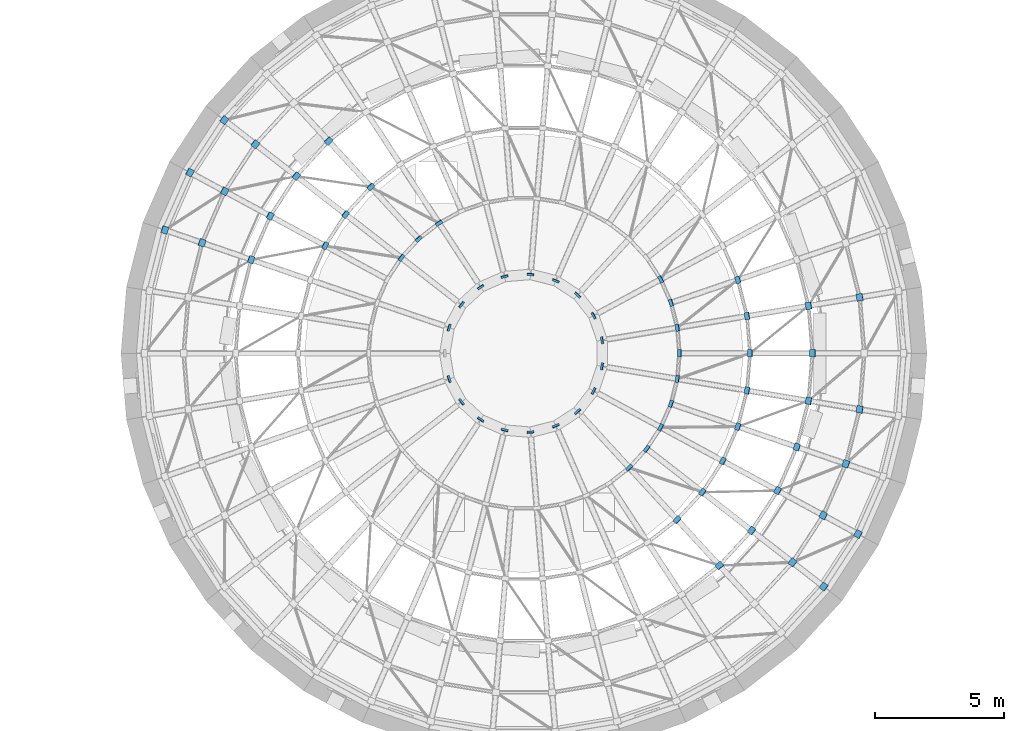
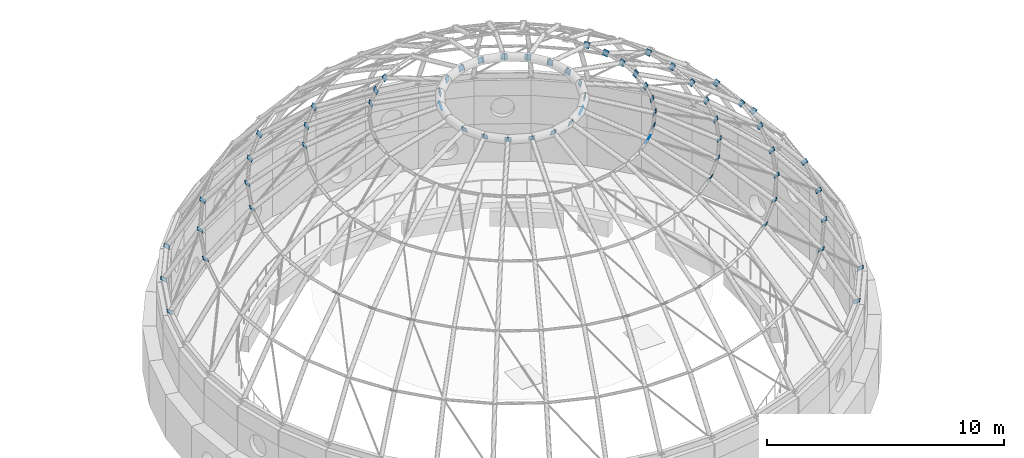
# One storey, part 64 of 98: 65 discrete accessories.
"""IFC4 building model written with IfcOpenShell, lengths in metres."""

from ifc_helpers import new_model, si_unit, direction, frame, origin, origin_2d, place, context, subcontext, project, spatial, rectangle, extrude, material, material_profile, profile_set, type_object, element, save


model = new_model("IFC4")

# Units and contexts
model_context = context("Model", 3, precision=1e-05, world=origin(), true_north=direction((0.0, 1.0)))
body_context = subcontext(model_context, "Body", "Model", "MODEL_VIEW")
ifc_project = project(units=[si_unit("LENGTHUNIT", "METRE"), si_unit("AREAUNIT", "SQUARE_METRE"), si_unit("VOLUMEUNIT", "CUBIC_METRE"), si_unit("PLANEANGLEUNIT", "RADIAN"), si_unit("MASSUNIT", "GRAM", prefix="KILO")], contexts=[model_context])

# Site, building, storey
site_placement = place(None, origin())
site = spatial("IfcSite", under=ifc_project, at=site_placement, CompositionType="ELEMENT")
building_placement = place(site_placement, origin())
building = spatial("IfcBuilding", under=site, at=building_placement, Name="Sun Court Science Centre", CompositionType="ELEMENT")
storey_placement = place(building_placement, frame((0.0, 0.0, 15.75)))
storey = spatial("IfcBuildingStorey", under=building, at=storey_placement, Name="L03", CompositionType="ELEMENT", Elevation=15.75)

# Discrete accessories
ifc_material = material(Name="Steel S355", Category="steel")
ifc_material_profile = material_profile(ifc_material, rectangle(XDim=0.280029296875, YDim=0.280029296875, at=origin_2d()), Name="PL 280x280")
ifc_profile_set = profile_set([ifc_material_profile], Name="Steel S355")
discrete_accessory_type = type_object("IfcDiscreteAccessoryType", Name="Dome node plate 280x280x20", PredefinedType="BRACKET", material=ifc_profile_set)
discrete_accessory_1_placement = place(storey_placement, frame((63.99755859375, 98.968994140625, 6.864990234375), z_axis=(-0.51261459463, -0.085435765772, 0.854357657717), x_axis=(0.164398987305, -0.986393923832, 0.0)))
element("IfcDiscreteAccessory", 1, at=discrete_accessory_1_placement, inside=storey, type_object=discrete_accessory_type, Name="Dome node plate 2", PredefinedType="BRACKET", context=body_context, shape_type="SweptSolid", body=[
    extrude(rectangle(XDim=0.280029296875, YDim=0.280029296875, at=origin_2d()), origin(), (0.0, 0.0, 1.0), 0.02001953125),
])
discrete_accessory_2_placement = place(storey_placement, frame((62.01904296875, 98.638671875, 9.200439453125), z_axis=(-0.639494658326, -0.098383793589, 0.762474400312), x_axis=(0.152057184254, -0.988371697651, 0.0)))
element("IfcDiscreteAccessory", 2, at=discrete_accessory_2_placement, inside=storey, type_object=discrete_accessory_type, Name="Dome node plate 3", PredefinedType="BRACKET", context=body_context, shape_type="SweptSolid", body=[
    extrude(rectangle(XDim=0.280029296875, YDim=0.280029296875, at=origin_2d()), origin(), (0.0, 0.0, 1.0), 0.019775390625),
])
for number, where, z_axis, x_axis, name in (
    (3, (59.63916015625, 98.24169921875, 11.112060546875), (-0.770184961685, -0.134476739342, 0.623483064221), (0.17200102348, -0.985096770841, 0.0), "Dome node plate 4"),
    (4, (56.944091796875, 97.7919921875, 12.5302734375), (-0.874931437699, -0.145821906283, 0.461769369896), (0.164398987305, -0.986393923832, 0.0), "Dome node plate 5"),
):
    element("IfcDiscreteAccessory", number, at=place(storey_placement, frame(where, z_axis=z_axis, x_axis=x_axis)), inside=storey, type_object=discrete_accessory_type, Name=name, PredefinedType="BRACKET", context=body_context, shape_type="SweptSolid", body=[
        extrude(rectangle(XDim=0.280029296875, YDim=0.280029296875, at=origin_2d()), origin(), (0.0, 0.0, 1.0), 0.02001953125),
    ])
for number, where, z_axis, x_axis, name in (
    (5, (54.0322265625, 97.305908203125, 13.4033203125), (-0.945871717609, -0.159692627648, 0.282533110454), (0.166475237173, -0.986045635561, 0.0), "Dome node plate 6"),
    (6, (59.283935546875, 99.643798828125, 11.112060546875), (-0.738493001556, -0.246164333852, 0.627719051322), (0.316227766017, -0.948683298051, 0.0), "Dome node plate 10"),
):
    element("IfcDiscreteAccessory", number, at=place(storey_placement, frame(where, z_axis=z_axis, x_axis=x_axis)), inside=storey, type_object=discrete_accessory_type, Name=name, PredefinedType="BRACKET", context=body_context, shape_type="SweptSolid", body=[
        extrude(rectangle(XDim=0.280029296875, YDim=0.280029296875, at=origin_2d()), origin(), (0.0, 0.0, 1.0), 0.019775390625),
    ])
for number, where, z_axis, x_axis, name in (
    (7, (56.69970703125, 98.7568359375, 12.5302734375), (-0.837919347852, -0.291450207949, 0.461462829252), (0.328520624941, -0.944496796706, 0.0), "Dome node plate 11"),
    (8, (56.300048828125, 99.668212890625, 12.5302734375), (-0.77811909591, -0.425533880576, 0.462008213197), (0.479812341943, -0.877371139552, 0.0), "Dome node plate 16"),
    (9, (53.70361328125, 98.26318359375, 13.4033203125), (-0.840838395299, -0.4630704206, 0.2802794651), (0.482406003253, -0.875947742748, 0.0), "Dome node plate 17"),
    (10, (53.08203125, 99.061767578125, 13.4033203125), (-0.647401435218, -0.708477042315, 0.280947792642), (0.738209882893, -0.674571099885, 0.0), "Dome node plate 28"),
    (11, (52.23486328125, 99.615234375, 13.4033203125), (-0.379462263249, -0.881331708191, 0.281536517894), (0.918483910173, -0.395458350213, 0.0), "Dome node plate 39"),
):
    element("IfcDiscreteAccessory", number, at=place(storey_placement, frame(where, z_axis=z_axis, x_axis=x_axis)), inside=storey, type_object=discrete_accessory_type, Name=name, PredefinedType="BRACKET", context=body_context, shape_type="SweptSolid", body=[
        extrude(rectangle(XDim=0.280029296875, YDim=0.280029296875, at=origin_2d()), origin(), (0.0, 0.0, 1.0), 0.02001953125),
    ])
discrete_accessory_3_placement = place(storey_placement, frame((51.25390625, 99.86376953125, 13.4033203125), z_axis=(-0.08476912392, -0.95668011281, 0.278527121451), x_axis=(0.996097312975, -0.088261787226, 0.0)))
element("IfcDiscreteAccessory", 12, at=discrete_accessory_3_placement, inside=storey, type_object=discrete_accessory_type, Name="Dome node plate 50", PredefinedType="BRACKET", context=body_context, shape_type="SweptSolid", body=[
    extrude(rectangle(XDim=0.280029296875, YDim=0.280029296875, at=origin_2d()), origin(), (0.0, 0.0, 1.0), 0.020263671875),
])
for number, where, z_axis, x_axis, name in (
    (13, (50.245361328125, 99.780029296875, 13.4033203125), (0.232713161513, -0.930852646054, 0.281705406043), (0.970142500145, 0.242535625036, 0.0), "Dome node plate 61"),
    (14, (47.703857421875, 101.844970703125, 12.5302734375), (0.486324434944, -0.74164476329, 0.462008213197), (0.836244367386, 0.54835696222, 0.0), "Dome node plate 71"),
    (15, (49.318603515625, 99.37353515625, 13.4033203125), (0.524000739099, -0.804280204199, 0.2802794651), (0.837863058281, 0.545880477365, 0.0), "Dome node plate 72"),
    (16, (43.433837890625, 105.01904296875, 9.200439453125), (0.44109565921, -0.47785363081, 0.759664746416), (0.734803444627, 0.678280102733, 0.0), "Dome node plate 75"),
    (17, (45.06787109375, 103.243896484375, 11.112060546875), (0.535709697438, -0.572235358627, 0.620936240212), (0.730021398632, 0.683424288081, 0.0), "Dome node plate 76"),
    (18, (46.91845703125, 101.233642578125, 12.5302734375), (0.600695919427, -0.649732321013, 0.465845815066), (0.734272068275, 0.678855308406, 0.0), "Dome node plate 77"),
    (19, (39.396484375, 105.831298828125, 4.341552734375), (0.414387707005, -0.316884717122, 0.853151161482), (0.607450107571, 0.794357832977, 0.0), "Dome node plate 78"),
    (20, (40.601318359375, 104.8935546875, 6.864990234375), (0.40421633776, -0.318473478235, 0.857428595248), (0.618872226604, 0.785491672228, 0.0), "Dome node plate 79"),
    (21, (42.18408203125, 103.66162109375, 9.200439453125), (0.513226580635, -0.403249456213, 0.757620190461), (0.617821551932, 0.786318338822, 0.0), "Dome node plate 80"),
    (22, (44.088134765625, 102.1796875, 11.112060546875), (0.618374913041, -0.484999931797, 0.618374913041), (0.617139935181, 0.786853417356, 0.0), "Dome node plate 81"),
):
    element("IfcDiscreteAccessory", number, at=place(storey_placement, frame(where, z_axis=z_axis, x_axis=x_axis)), inside=storey, type_object=discrete_accessory_type, Name=name, PredefinedType="BRACKET", context=body_context, shape_type="SweptSolid", body=[
        extrude(rectangle(XDim=0.280029296875, YDim=0.280029296875, at=origin_2d()), origin(), (0.0, 0.0, 1.0), 0.02001953125),
    ])
discrete_accessory_4_placement = place(storey_placement, frame((46.244384765625, 100.50146484375, 12.5302734375), z_axis=(0.701652833227, -0.544385818883, 0.45970358039), x_axis=(0.612997102877, 0.790085154819, 0.0)))
element("IfcDiscreteAccessory", 23, at=discrete_accessory_4_placement, inside=storey, type_object=discrete_accessory_type, Name="Dome node plate 82", PredefinedType="BRACKET", context=body_context, shape_type="SweptSolid", body=[
    extrude(rectangle(XDim=0.280029296875, YDim=0.280029296875, at=origin_2d()), origin(), (0.0, 0.0, 1.0), 0.020263671875),
])
for number, where, z_axis, x_axis, name in (
    (24, (48.573974609375, 98.688232421875, 13.4033203125), (0.758754013589, -0.587422462134, 0.281473263106), (0.612173192991, 0.790723707614, 0.0), "Dome node plate 83"),
    (25, (38.068359375, 103.79833984375, 4.341552734375), (0.453076320995, -0.244906119457, 0.857171418099), (0.475517034365, 0.879706513576, 0.0), "Dome node plate 84"),
    (26, (39.410888671875, 103.07177734375, 6.864990234375), (0.461326784783, -0.254943749485, 0.849812498284), (0.48368611169, 0.875241535439, 0.0), "Dome node plate 85"),
    (27, (41.175048828125, 102.116943359375, 9.200439453125), (0.575141426935, -0.305926290923, 0.758697201488), (0.469612972978, 0.882872389199, 0.0), "Dome node plate 86"),
    (28, (43.297119140625, 100.96875, 11.112060546875), (0.684251023036, -0.378781816324, 0.623157181694), (0.484315883017, 0.87489320803, 0.0), "Dome node plate 87"),
    (29, (37.0927734375, 101.574462890625, 4.341552734375), (0.488823716738, -0.171088300858, 0.855441504291), (0.330350424728, 0.943858356366, 0.0), "Dome node plate 89"),
    (30, (38.53662109375, 101.07861328125, 6.864990234375), (0.498041020004, -0.170062787318, 0.850313936592), (0.323143853292, 0.946349856068, 0.0), "Dome node plate 90"),
    (31, (40.433837890625, 100.427490234375, 9.200439453125), (0.612311207636, -0.220432034749, 0.759265897469), (0.338719468273, 0.940887411869, 0.0), "Dome node plate 91"),
    (32, (48.09228515625, 97.798095703125, 13.4033203125), (0.910916243361, -0.303638747787, 0.279347647964), (0.316227766017, 0.948683298051, 0.0), "Dome node plate 94"),
):
    element("IfcDiscreteAccessory", number, at=place(storey_placement, frame(where, z_axis=z_axis, x_axis=x_axis)), inside=storey, type_object=discrete_accessory_type, Name=name, PredefinedType="BRACKET", context=body_context, shape_type="SweptSolid", body=[
        extrude(rectangle(XDim=0.280029296875, YDim=0.280029296875, at=origin_2d()), origin(), (0.0, 0.0, 1.0), 0.02001953125),
    ])
discrete_accessory_5_placement = place(storey_placement, frame((48.09228515625, 95.8017578125, 13.4033203125), z_axis=(0.907508939007, 0.314603098856, 0.278302741296), x_axis=(-0.32754321548, 0.944836198499, 0.0)))
element("IfcDiscreteAccessory", 33, at=discrete_accessory_5_placement, inside=storey, type_object=discrete_accessory_type, Name="Dome node plate 116", PredefinedType="BRACKET", context=body_context, shape_type="SweptSolid", body=[
    extrude(rectangle(XDim=0.280029296875, YDim=0.280029296875, at=origin_2d()), origin(), (0.0, 0.0, 1.0), 0.020263671875),
])
for number, where, z_axis, x_axis, name in (
    (34, (48.573974609375, 94.911865234375, 13.4033203125), (0.758754013589, 0.587422462134, 0.281473263106), (-0.612173192991, 0.790723707614, 0.0), "Dome node plate 127"),
    (35, (49.318603515625, 94.226318359375, 13.4033203125), (0.524000739099, 0.804280204199, 0.2802794651), (-0.837863058281, 0.545880477365, 0.0), "Dome node plate 138"),
    (36, (50.245361328125, 93.81982421875, 13.4033203125), (0.232713161513, 0.930852646054, 0.281705406043), (-0.970142500145, 0.242535625036, 0.0), "Dome node plate 149"),
    (37, (51.25390625, 93.736328125, 13.4033203125), (-0.085762163009, 0.955635530674, 0.281789964173), (-0.995997206497, -0.089384364686, 0.0), "Dome node plate 160"),
    (38, (52.23486328125, 93.98486328125, 13.4033203125), (-0.379462263249, 0.881331708191, 0.281536517894), (-0.918483910173, -0.395458350213, 0.0), "Dome node plate 171"),
    (39, (58.566162109375, 88.580810546875, 9.200439453125), (-0.44109565921, 0.47785363081, 0.759664746416), (-0.734803444627, -0.678280102733, 0.0), "Dome node plate 179"),
    (40, (56.93212890625, 90.356201171875, 11.112060546875), (-0.535709697438, 0.572235358627, 0.620936240212), (-0.730021398632, -0.683424288081, 0.0), "Dome node plate 180"),
    (41, (55.08154296875, 92.3662109375, 12.5302734375), (-0.595923637316, 0.656732171736, 0.462144861592), (-0.740560305137, -0.671989906513, 0.0), "Dome node plate 181"),
    (42, (53.08203125, 94.538330078125, 13.4033203125), (-0.647401435218, 0.708477042315, 0.280947792642), (-0.738209882893, -0.674571099885, 0.0), "Dome node plate 182"),
    (43, (62.603515625, 87.7685546875, 4.341552734375), (-0.414387707005, 0.316884717122, 0.853151161482), (-0.607450107571, -0.794357832977, 0.0), "Dome node plate 183"),
    (44, (61.398681640625, 88.706298828125, 6.864990234375), (-0.40421633776, 0.318473478235, 0.857428595248), (-0.618872226604, -0.785491672228, 0.0), "Dome node plate 184"),
    (45, (59.81591796875, 89.938232421875, 9.200439453125), (-0.513226580635, 0.403249456213, 0.757620190461), (-0.617821551932, -0.786318338822, 0.0), "Dome node plate 185"),
    (46, (57.911865234375, 91.42041015625, 11.112060546875), (-0.621997473275, 0.475645126622, 0.621997473275), (-0.607450107571, -0.794357832977, 0.0), "Dome node plate 186"),
    (47, (55.755615234375, 93.0986328125, 12.5302734375), (-0.706267485008, 0.535789126558, 0.462726972936), (-0.604386481374, -0.796691270902, 0.0), "Dome node plate 187"),
    (48, (63.931640625, 89.8017578125, 4.341552734375), (-0.453076320995, 0.244906119457, 0.857171418099), (-0.475517034365, -0.879706513576, 0.0), "Dome node plate 188"),
    (49, (62.589111328125, 90.5283203125, 6.864990234375), (-0.462726972936, 0.243540512072, 0.852391792251), (-0.465746432833, -0.884918222382, 0.0), "Dome node plate 189"),
    (50, (60.824951171875, 91.48291015625, 9.200439453125), (-0.572957744174, 0.316955347841, 0.755816598697), (-0.484061385167, -0.875034042418, 0.0), "Dome node plate 190"),
    (51, (58.702880859375, 92.63134765625, 11.112060546875), (-0.684251023036, 0.378781816324, 0.623157181694), (-0.484315883017, -0.87489320803, 0.0), "Dome node plate 191"),
    (52, (56.300048828125, 93.931884765625, 12.5302734375), (-0.782117946781, 0.415500159227, 0.464382530901), (-0.469155225962, -0.883115719457, 0.0), "Dome node plate 192"),
    (53, (53.70361328125, 95.3369140625, 13.4033203125), (-0.845560298294, 0.453416391839, 0.281853432765), (-0.472575809363, -0.881290022867, 0.0), "Dome node plate 193"),
    (54, (63.46337890625, 92.521240234375, 6.864990234375), (-0.498041020004, 0.170062787318, 0.850313936592), (-0.323143853292, -0.946349856068, 0.0), "Dome node plate 195"),
):
    element("IfcDiscreteAccessory", number, at=place(storey_placement, frame(where, z_axis=z_axis, x_axis=x_axis)), inside=storey, type_object=discrete_accessory_type, Name=name, PredefinedType="BRACKET", context=body_context, shape_type="SweptSolid", body=[
        extrude(rectangle(XDim=0.280029296875, YDim=0.280029296875, at=origin_2d()), origin(), (0.0, 0.0, 1.0), 0.02001953125),
    ])
for number, where, z_axis, x_axis, name in (
    (55, (61.566162109375, 93.172607421875, 9.200439453125), (-0.613924557236, 0.20873434946, 0.761266450973), (-0.321902733239, -0.94677274482, 0.0), "Dome node plate 196"),
    (56, (59.283935546875, 93.9560546875, 11.112060546875), (-0.736210173832, 0.257673560841, 0.625778647757), (-0.330350424728, -0.943858356366, 0.0), "Dome node plate 197"),
):
    element("IfcDiscreteAccessory", number, at=place(storey_placement, frame(where, z_axis=z_axis, x_axis=x_axis)), inside=storey, type_object=discrete_accessory_type, Name=name, PredefinedType="BRACKET", context=body_context, shape_type="SweptSolid", body=[
        extrude(rectangle(XDim=0.280029296875, YDim=0.280029296875, at=origin_2d()), origin(), (0.0, 0.0, 1.0), 0.019775390625),
    ])
for number, where, z_axis, x_axis, name in (
    (57, (56.69970703125, 94.84326171875, 12.5302734375), (-0.837919347852, 0.291450207949, 0.461462829252), (-0.328520624941, -0.944496796706, 0.0), "Dome node plate 198"),
    (58, (63.99755859375, 94.631103515625, 6.864990234375), (-0.51261459463, 0.085435765772, 0.854357657717), (-0.164398987305, -0.986393923832, 0.0), "Dome node plate 200"),
):
    element("IfcDiscreteAccessory", number, at=place(storey_placement, frame(where, z_axis=z_axis, x_axis=x_axis)), inside=storey, type_object=discrete_accessory_type, Name=name, PredefinedType="BRACKET", context=body_context, shape_type="SweptSolid", body=[
        extrude(rectangle(XDim=0.280029296875, YDim=0.280029296875, at=origin_2d()), origin(), (0.0, 0.0, 1.0), 0.02001953125),
    ])
discrete_accessory_6_placement = place(storey_placement, frame((62.01904296875, 94.961181640625, 9.200439453125), z_axis=(-0.638674143313, 0.110539755573, 0.76149609395), x_axis=(-0.170541433706, -0.985350505855, 0.0)))
element("IfcDiscreteAccessory", 59, at=discrete_accessory_6_placement, inside=storey, type_object=discrete_accessory_type, Name="Dome node plate 201", PredefinedType="BRACKET", context=body_context, shape_type="SweptSolid", body=[
    extrude(rectangle(XDim=0.280029296875, YDim=0.280029296875, at=origin_2d()), origin(), (0.0, 0.0, 1.0), 0.019775390625),
])
for number, where, z_axis, x_axis, name in (
    (60, (59.63916015625, 95.3583984375, 11.112060546875), (-0.771396443966, 0.122443879995, 0.624463787972), (-0.156767544201, -0.987635528464, 0.0), "Dome node plate 202"),
    (61, (56.944091796875, 95.80810546875, 12.5302734375), (-0.874931437699, 0.145821906283, 0.461769369896), (-0.164398987305, -0.986393923832, 0.0), "Dome node plate 203"),
):
    element("IfcDiscreteAccessory", number, at=place(storey_placement, frame(where, z_axis=z_axis, x_axis=x_axis)), inside=storey, type_object=discrete_accessory_type, Name=name, PredefinedType="BRACKET", context=body_context, shape_type="SweptSolid", body=[
        extrude(rectangle(XDim=0.280029296875, YDim=0.280029296875, at=origin_2d()), origin(), (0.0, 0.0, 1.0), 0.02001953125),
    ])
discrete_accessory_7_placement = place(storey_placement, frame((54.0322265625, 96.2939453125, 13.4033203125), z_axis=(-0.945871717609, 0.159692627648, 0.282533110454), x_axis=(-0.166475237173, -0.986045635561, 0.0)))
element("IfcDiscreteAccessory", 62, at=discrete_accessory_7_placement, inside=storey, type_object=discrete_accessory_type, Name="Dome node plate 204", PredefinedType="BRACKET", context=body_context, shape_type="SweptSolid", body=[
    extrude(rectangle(XDim=0.280029296875, YDim=0.280029296875, at=origin_2d()), origin(), (0.0, 0.0, 1.0), 0.019775390625),
])
for number, where, z_axis, x_axis, name in (
    (63, (62.171630859375, 96.800048828125, 9.200439453125), (-0.656780744804, 0.0, 0.754081595886), (0.0, -1.0, 0.0), "Dome node plate 207"),
    (64, (59.758544921875, 96.800048828125, 11.112060546875), (-0.782059551443, 0.0, 0.623203705056), (0.0, -1.0, 0.0), "Dome node plate 208"),
    (65, (57.0263671875, 96.800048828125, 12.5302734375), (-0.887017774073, 0.0, 0.461735279655), (0.0, -1.0, 0.0), "Dome node plate 209"),
):
    element("IfcDiscreteAccessory", number, at=place(storey_placement, frame(where, z_axis=z_axis, x_axis=x_axis)), inside=storey, type_object=discrete_accessory_type, Name=name, PredefinedType="BRACKET", context=body_context, shape_type="SweptSolid", body=[
        extrude(rectangle(XDim=0.280029296875, YDim=0.280029296875, at=origin_2d()), origin(), (0.0, 0.0, 1.0), 0.02001953125),
    ])

save(model, "model.ifc")
